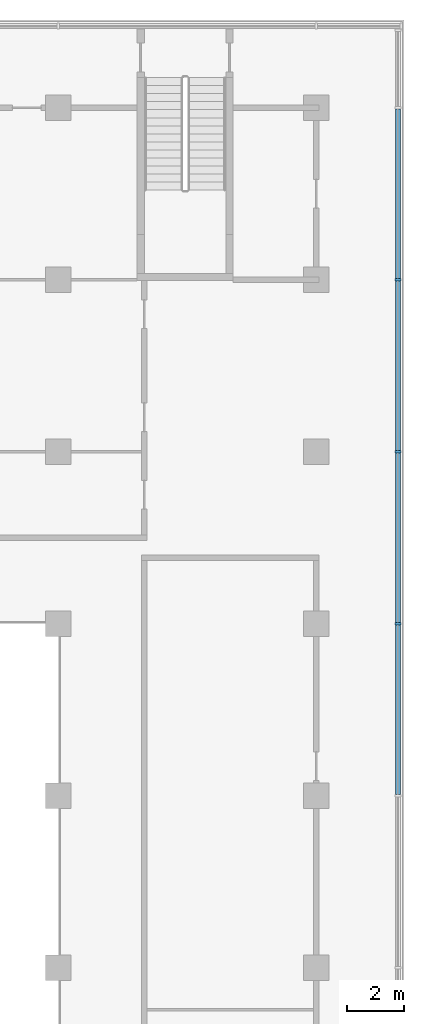
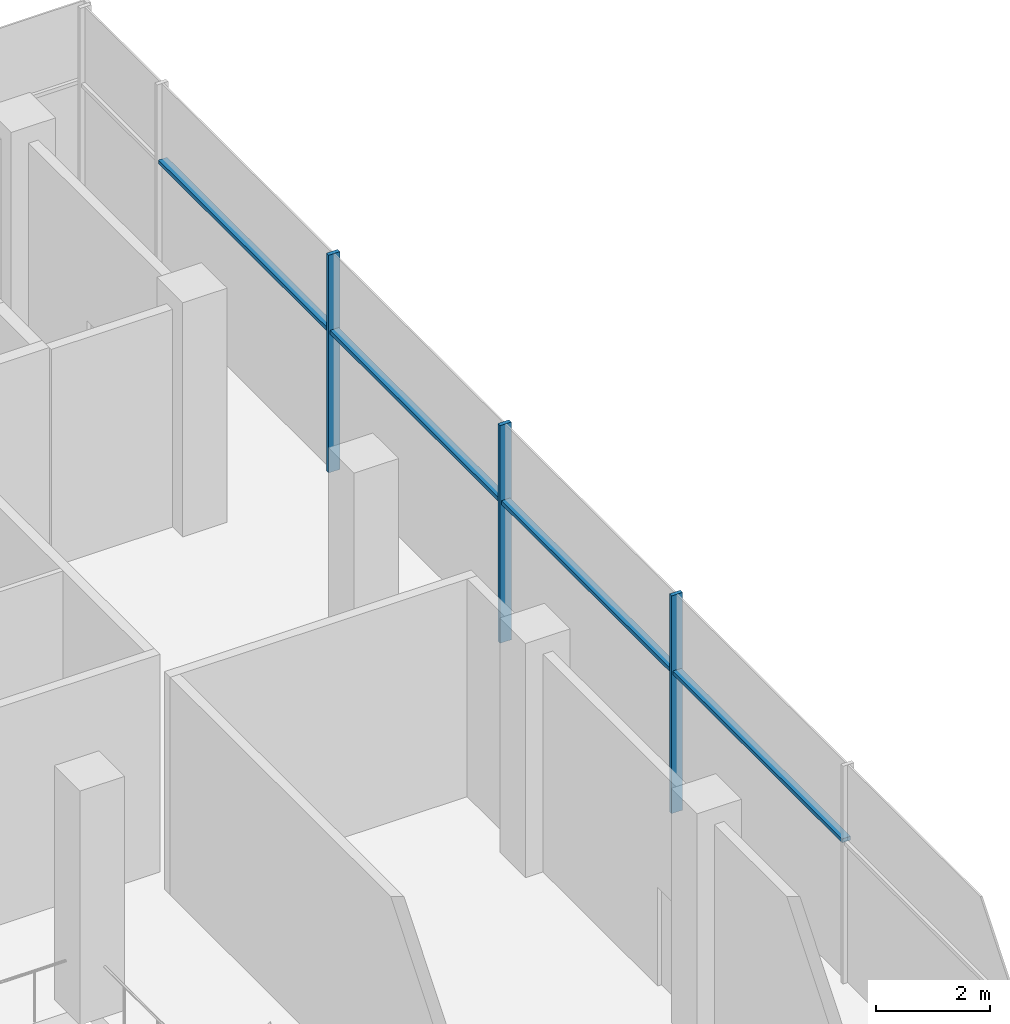
# One storey, part 6 of 22: 7 members, 1 element without a shape of its own.
"""IFC4 building model written with IfcOpenShell, lengths in metres."""

from ifc_helpers import new_model, si_unit, direction, frame, origin, origin_2d, place, context, subcontext, project, spatial, rectangle, extrude, material, material_profile, profile_set, type_object, element, aggregate, save


model = new_model("IFC4")

# Units and contexts
model_context = context("Model", 3, precision=1e-05, world=origin(), true_north=direction((0.0, 1.0)))
body_context = subcontext(model_context, "Body", "Model", "MODEL_VIEW")
ifc_project = project(units=[si_unit("LENGTHUNIT", "METRE"), si_unit("AREAUNIT", "SQUARE_METRE"), si_unit("VOLUMEUNIT", "CUBIC_METRE"), si_unit("PLANEANGLEUNIT", "RADIAN"), si_unit("MASSUNIT", "GRAM", prefix="KILO")], contexts=[model_context])

# Site, building, storey
site_placement = place(None, origin())
site = spatial("IfcSite", under=ifc_project, at=site_placement, CompositionType="ELEMENT")
building_placement = place(site_placement, origin())
building = spatial("IfcBuilding", under=site, at=building_placement, Name="Finial Court Residences", CompositionType="ELEMENT")
storey_placement = place(building_placement, frame((0.0, 0.0, 13.5)))
storey = spatial("IfcBuildingStorey", under=building, at=storey_placement, Name="L02", CompositionType="ELEMENT", Elevation=13.5)

# Curtain wall, members
ifc_material = material(Name="Bronze anodised aluminium", Category="aluminium")
curtain_wall_type = type_object("IfcCurtainWallType", Name="Podium curtain wall", PredefinedType="NOTDEFINED", material=ifc_material)
curtain_wall_placement = place(storey_placement, origin())
curtain_wall = element("IfcCurtainWall", 1, at=curtain_wall_placement, inside=storey, type_object=curtain_wall_type, Name="E-L02-CW-E2", PredefinedType="NOTDEFINED")
ifc_material_profile_1 = material_profile(ifc_material, rectangle(XDim=0.22509765625, YDim=0.080078125, at=origin_2d()), Name="CW5 mullion 80 x 225")
ifc_profile_set_1 = profile_set([ifc_material_profile_1], Name="Bronze anodised aluminium")
member_type_1 = type_object("IfcMemberType", Name="CW5 mullion 80 x 225", PredefinedType="MULLION", material=ifc_profile_set_1)
member_1_placement = place(storey_placement, frame((61.35009765625, 13.5, 0.0), z_axis=(0.0, 0.0, 1.0), x_axis=(-1.0, 0.0, 0.0)))
member_1 = element("IfcMember", 2, at=member_1_placement, type_object=member_type_1, Name="CW5 mullion 8", PredefinedType="MULLION", context=body_context, shape_type="SweptSolid", body=[
    extrude(rectangle(XDim=0.22509765625, YDim=0.080078125, at=origin_2d()), origin(), (0.0, 0.0, 1.0), 4.64990234375),
])
member_2_placement = place(storey_placement, frame((61.35009765625, 19.5, 0.0), z_axis=(0.0, 0.0, 1.0), x_axis=(-1.0, 0.0, 0.0)))
member_2 = element("IfcMember", 3, at=member_2_placement, type_object=member_type_1, Name="CW5 mullion 9", PredefinedType="MULLION", context=body_context, shape_type="SweptSolid", body=[
    extrude(rectangle(XDim=0.22509765625, YDim=0.080078125, at=origin_2d()), origin(), (0.0, 0.0, 1.0), 4.64990234375),
])
member_3_placement = place(storey_placement, frame((61.35009765625, 25.5, 0.0), z_axis=(0.0, 0.0, 1.0), x_axis=(-1.0, 0.0, 0.0)))
member_3 = element("IfcMember", 4, at=member_3_placement, type_object=member_type_1, Name="CW5 mullion 10", PredefinedType="MULLION", context=body_context, shape_type="SweptSolid", body=[
    extrude(rectangle(XDim=0.22509765625, YDim=0.080078125, at=origin_2d()), origin(), (0.0, 0.0, 1.0), 4.64990234375),
])
ifc_material_profile_2 = material_profile(ifc_material, rectangle(XDim=0.175048828125, YDim=0.080078125, at=origin_2d()), Name="CW5 transom 80 x 175")
ifc_profile_set_2 = profile_set([ifc_material_profile_2], Name="Bronze anodised aluminium")
member_type_2 = type_object("IfcMemberType", Name="CW5 transom 80 x 175", PredefinedType="USERDEFINED", material=ifc_profile_set_2)
member_4_placement = place(storey_placement, frame((61.35009765625, 7.5400390625, 3.0), z_axis=(0.0, 1.0, 0.0), x_axis=(-1.0, 0.0, 0.0)))
member_4 = element("IfcMember", 5, at=member_4_placement, type_object=member_type_2, Name="CW5 transom 7.1", ObjectType="TRANSOM", PredefinedType="USERDEFINED", context=body_context, shape_type="SweptSolid", body=[
    extrude(rectangle(XDim=0.175048828125, YDim=0.080078125, at=origin_2d()), origin(), (0.0, 0.0, 1.0), 5.919921875),
])
member_5_placement = place(storey_placement, frame((61.35009765625, 13.5400390625, 3.0), z_axis=(0.0, 1.0, 0.0), x_axis=(-1.0, 0.0, 0.0)))
member_5 = element("IfcMember", 6, at=member_5_placement, type_object=member_type_2, Name="CW5 transom 8.1", ObjectType="TRANSOM", PredefinedType="USERDEFINED", context=body_context, shape_type="SweptSolid", body=[
    extrude(rectangle(XDim=0.175048828125, YDim=0.080078125, at=origin_2d()), origin(), (0.0, 0.0, 1.0), 5.919921875),
])
member_6_placement = place(storey_placement, frame((61.35009765625, 19.5400390625, 3.0), z_axis=(0.0, 1.0, 0.0), x_axis=(-1.0, 0.0, 0.0)))
member_6 = element("IfcMember", 7, at=member_6_placement, type_object=member_type_2, Name="CW5 transom 9.1", ObjectType="TRANSOM", PredefinedType="USERDEFINED", context=body_context, shape_type="SweptSolid", body=[
    extrude(rectangle(XDim=0.175048828125, YDim=0.080078125, at=origin_2d()), origin(), (0.0, 0.0, 1.0), 5.919921875),
])
member_7_placement = place(storey_placement, frame((61.35009765625, 25.5400390625, 3.0), z_axis=(0.0, 1.0, 0.0), x_axis=(-1.0, 0.0, 0.0)))
member_7 = element("IfcMember", 8, at=member_7_placement, type_object=member_type_2, Name="CW5 transom 10.1", ObjectType="TRANSOM", PredefinedType="USERDEFINED", context=body_context, shape_type="SweptSolid", body=[
    extrude(rectangle(XDim=0.175048828125, YDim=0.080078125, at=origin_2d()), origin(), (0.0, 0.0, 1.0), 5.919921875),
])
aggregate(curtain_wall, [member_1, member_2, member_3, member_4, member_5, member_6, member_7])

save(model, "model.ifc")
